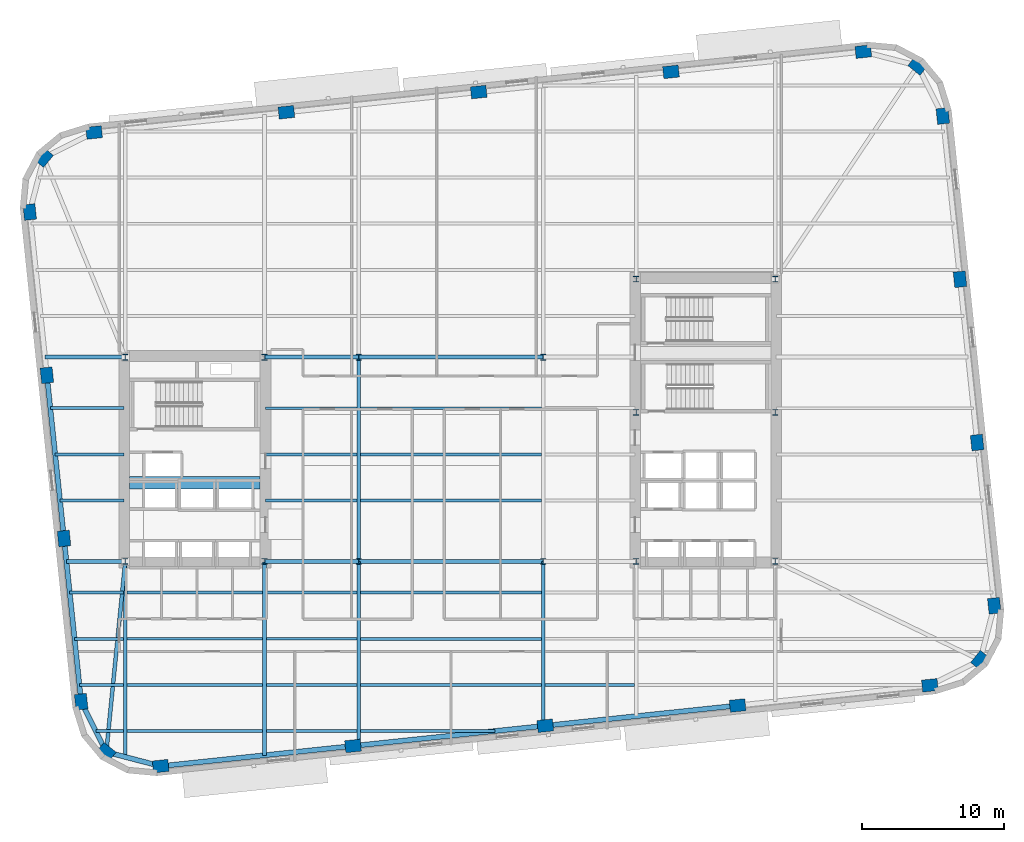
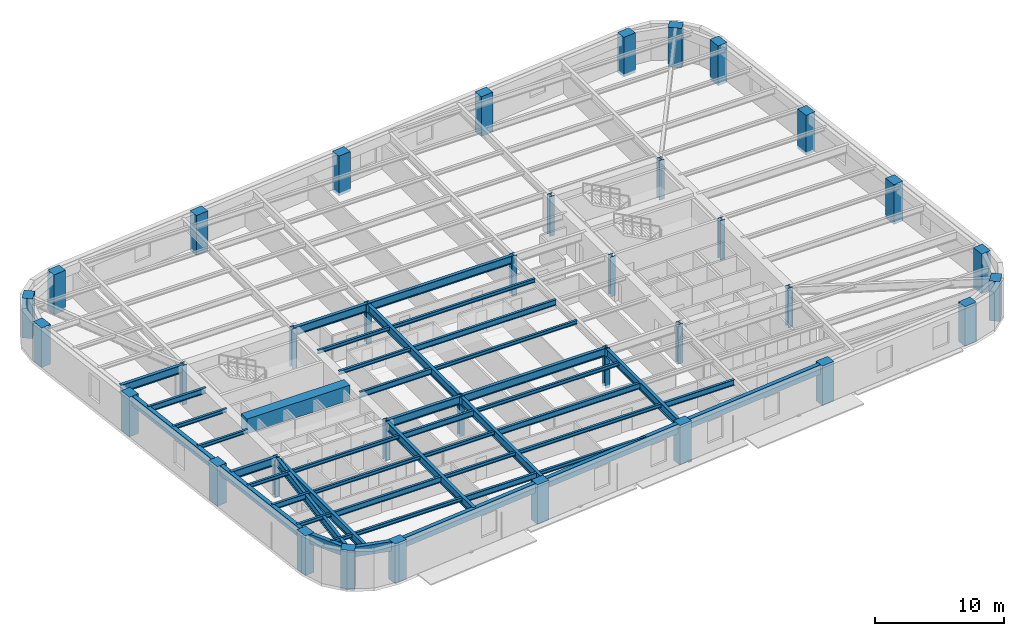
# One storey, part 1 of 13: 46 beams, 36 columns.
"""IFC4 building model written with IfcOpenShell, lengths in metres."""

import ifcopenshell
import ifcopenshell.guid

model = None  # the IFC model being written
_history = None  # IfcOwnerHistory: only IFC2X3 demands one
_inside = {}  # id of a spatial element -> (the spatial element, [elements in it])
_under = {}  # id of a project, library or spatial element -> (it, [spatial elements below it])
_declared = {}  # id of a project -> (the project, [libraries it declares])
_typed = {}  # id of a type object -> (the type object, [elements of that type])
_made_of = {}  # id of a material, layer set ... -> (it, [elements and type objects made of it])


def new_model(schema):
    """Start an empty IFC model of exactly this schema.

    Asked for "IFC4X3", IfcOpenShell would pick the latest addendum, in which some entities
    have other attributes; the version numbers below select the first issue.
    IFC2X3 requires an IfcOwnerHistory on every rooted entity: one is made here for all.
    """
    global model, _history
    if schema == "IFC4X3":
        model = ifcopenshell.file(schema_version=(4, 3, 0, 0))
    else:
        model = ifcopenshell.file(schema=schema)
    _inside.clear()
    _under.clear()
    _declared.clear()
    _typed.clear()
    _made_of.clear()
    _history = None
    if model.schema == "IFC2X3":
        org = make("IfcOrganization", Name="unknown")
        user = make(
            "IfcPersonAndOrganization",
            ThePerson=make("IfcPerson", FamilyName="unknown"),
            TheOrganization=org,
        )
        app = make(
            "IfcApplication",
            ApplicationDeveloper=org,
            Version="unknown",
            ApplicationFullName="unknown",
            ApplicationIdentifier="unknown",
        )
        _history = make(
            "IfcOwnerHistory",
            OwningUser=user,
            OwningApplication=app,
            ChangeAction="ADDED",
            CreationDate=0,
        )
    return model


def make(cls, **values):
    """One entity of the class cls with the attributes given. An attribute that is None is left unset."""
    return model.create_entity(
        cls, **{name: value for name, value in values.items() if value is not None}
    )


def rooted(cls, **values):
    """An entity with a GlobalId (a new one), such as an element, a storey or a relation."""
    return make(cls, GlobalId=ifcopenshell.guid.new(), OwnerHistory=_history, **values)


def si_unit(unit_type, name, prefix=None):
    """IfcSIUnit, for example si_unit("LENGTHUNIT", "METRE", prefix="MILLI")."""
    return make("IfcSIUnit", UnitType=unit_type, Prefix=prefix, Name=name)


def assignment(units):
    """IfcUnitAssignment: the units of a project."""
    return None if units is None else make("IfcUnitAssignment", Units=units)


def point(xyz):
    """IfcCartesianPoint."""
    return None if xyz is None else make("IfcCartesianPoint", Coordinates=xyz)


def direction(xyz):
    """IfcDirection."""
    return None if xyz is None else make("IfcDirection", DirectionRatios=xyz)


def frame(location, z_axis=None, x_axis=None):
    """IfcAxis2Placement3D, a coordinate frame: its origin and axes. An axis left out is left unset."""
    return make(
        "IfcAxis2Placement3D",
        Location=point(location),
        Axis=direction(z_axis),
        RefDirection=direction(x_axis),
    )


def frame_2d(location, x_axis=None):
    """IfcAxis2Placement2D, a coordinate frame in the plane: its origin and x axis."""
    return make(
        "IfcAxis2Placement2D", Location=point(location), RefDirection=direction(x_axis)
    )


def origin():
    """The frame at (0, 0, 0) with its axes left unset."""
    return frame((0.0, 0.0, 0.0))


def origin_2d():
    """The frame at (0, 0) in the plane with its x axis left unset."""
    return frame_2d((0.0, 0.0))


def place(relative_to, where):
    """IfcLocalPlacement: puts the frame where relative to a parent placement (None: the world)."""
    return make(
        "IfcLocalPlacement", PlacementRelTo=relative_to, RelativePlacement=where
    )


def context(
    kind, dimensions, precision=None, world=None, true_north=None, identifier=None
):
    """IfcGeometricRepresentationContext, for example the 3D "Model" context."""
    return make(
        "IfcGeometricRepresentationContext",
        ContextIdentifier=identifier,
        ContextType=kind,
        CoordinateSpaceDimension=dimensions,
        Precision=precision,
        WorldCoordinateSystem=world,
        TrueNorth=true_north,
    )


def subcontext(parent, identifier, kind, view, scale=None):
    """IfcGeometricRepresentationSubContext, for example "Body" below "Model"."""
    return make(
        "IfcGeometricRepresentationSubContext",
        ContextIdentifier=identifier,
        ContextType=kind,
        ParentContext=parent,
        TargetScale=scale,
        TargetView=view,
    )


def project(units=None, contexts=None):
    """IfcProject with its units and contexts."""
    return rooted(
        "IfcProject",
        Name="project",
        RepresentationContexts=contexts,
        UnitsInContext=assignment(units),
    )


def spatial(cls, under=None, at=None, **own):
    """A site, building, storey or space (cls), placed at a placement, below another one or the project."""
    s = rooted(cls, ObjectPlacement=at, **own)
    if under is not None:
        _under.setdefault(under.id(), (under, []))[1].append(s)
    return s


def profile(cls, at=None, kind="AREA", **sizes):
    """A parametric profile (cls). Its sizes go by their IFC names, for example OverallWidth=200.0."""
    return make(cls, ProfileType=kind, Position=at, **sizes)


def rectangle(**sizes):
    """IfcRectangleProfileDef."""
    return profile("IfcRectangleProfileDef", **sizes)


def hollow_rectangle(**sizes):
    """IfcRectangleHollowProfileDef."""
    return profile("IfcRectangleHollowProfileDef", **sizes)


def i_section(**sizes):
    """IfcIShapeProfileDef."""
    return profile("IfcIShapeProfileDef", **sizes)


def extrude(swept, where, along, depth):
    """IfcExtrudedAreaSolid: the profile swept, set in the frame where, extruded along a direction by depth."""
    return make(
        "IfcExtrudedAreaSolid",
        SweptArea=swept,
        Position=where,
        ExtrudedDirection=direction(along),
        Depth=depth,
    )


def shape(context_of_items, identifier, shape_type, items):
    """IfcShapeRepresentation: the items that make up one representation, for example the "Body"."""
    return make(
        "IfcShapeRepresentation",
        ContextOfItems=context_of_items,
        RepresentationIdentifier=identifier,
        RepresentationType=shape_type,
        Items=items,
    )


def material(Name=None, Category=None):
    """IfcMaterial."""
    return make("IfcMaterial", Name=Name, Category=Category)


def material_profile(
    of_material, cross_section, Name=None, Category=None, Priority=None
):
    """IfcMaterialProfile: a cross section and its material."""
    return make(
        "IfcMaterialProfile",
        Name=Name,
        Material=of_material,
        Profile=cross_section,
        Priority=Priority,
        Category=Category,
    )


def profile_set(profiles, Name=None, composite=None):
    """IfcMaterialProfileSet."""
    return make(
        "IfcMaterialProfileSet",
        Name=Name,
        MaterialProfiles=profiles,
        CompositeProfile=composite,
    )


def made_of(thing, what):
    """Note that an element or type object is made of a material, layer set ...; save() writes the relation."""
    if what is not None:
        _made_of.setdefault(what.id(), (what, []))[1].append(thing)
    return thing


def type_object(cls, material=None, **own):
    """A type object (cls), such as IfcWallType, which elements share."""
    return made_of(rooted(cls, **own), material)


def element(
    cls,
    number,
    at=None,
    inside=None,
    cuts=None,
    type_object=None,
    material=None,
    context=None,
    identifier="Body",
    shape_type=None,
    held_by="IfcProductDefinitionShape",
    body=None,
    shapes=None,
    **own,
):
    """One element of the class cls, such as IfcWall. Its Tag is "e" and its number.

    at: its placement. inside: the storey or other place that contains it. cuts: it is an
    opening in that element (IfcRelVoidsElement). A single representation is given by context,
    identifier, shape_type and body (its items); several are given by shapes. held_by: the class
    of the entity that holds the representations. save() writes the other relations.
    """
    e = rooted(cls, Tag="e%d" % number, ObjectPlacement=at, **own)
    if body is not None:
        shapes = [shape(context, identifier, shape_type, body)]
    if shapes is not None:
        e.Representation = make(held_by, Representations=shapes)
    if inside is not None:
        _inside.setdefault(inside.id(), (inside, []))[1].append(e)
    if cuts is not None:
        rooted(
            "IfcRelVoidsElement", RelatingBuildingElement=cuts, RelatedOpeningElement=e
        )
    if type_object is not None:
        _typed.setdefault(type_object.id(), (type_object, []))[1].append(e)
    return made_of(e, material)


def aggregate(whole, parts):
    """IfcRelAggregates: a whole, such as a stair, and the parts it consists of."""
    return rooted("IfcRelAggregates", RelatingObject=whole, RelatedObjects=parts)


def save(model, path):
    """Write the relations noted so far, then the file.

    IfcRelAggregates (storeys below a building ...), IfcRelContainedInSpatialStructure (elements
    in a storey), IfcRelDefinesByType, IfcRelAssociatesMaterial and IfcRelDeclares: one each for
    every whole, place, type object, material and project.
    """
    for whole, parts in _under.values():
        aggregate(whole, parts)
    for where, things in _inside.values():
        rooted(
            "IfcRelContainedInSpatialStructure",
            RelatedElements=things,
            RelatingStructure=where,
        )
    for kind, things in _typed.values():
        rooted("IfcRelDefinesByType", RelatedObjects=things, RelatingType=kind)
    for what, things in _made_of.values():
        rooted("IfcRelAssociatesMaterial", RelatedObjects=things, RelatingMaterial=what)
    for by, libraries in _declared.values():
        rooted("IfcRelDeclares", RelatingContext=by, RelatedDefinitions=libraries)
    model.write(path)


model = new_model("IFC4")

# Units and contexts
model_context = context("Model", 3, precision=1e-05, world=origin(), true_north=direction((0.0, 1.0)))
body_context = subcontext(model_context, "Body", "Model", "MODEL_VIEW")
ifc_project = project(units=[si_unit("LENGTHUNIT", "METRE"), si_unit("AREAUNIT", "SQUARE_METRE"), si_unit("VOLUMEUNIT", "CUBIC_METRE"), si_unit("PLANEANGLEUNIT", "RADIAN"), si_unit("MASSUNIT", "GRAM", prefix="KILO")], contexts=[model_context])

# Site, building, storey
site_placement = place(None, origin())
site = spatial("IfcSite", under=ifc_project, at=site_placement, CompositionType="ELEMENT")
building_placement = place(site_placement, origin())
building = spatial("IfcBuilding", under=site, at=building_placement, Name="Kolvaren Arena Tower", CompositionType="ELEMENT")
storey_placement = place(building_placement, frame((0.0, 0.0, 114.699951171875)))
storey = spatial("IfcBuildingStorey", under=building, at=storey_placement, Name="L26", CompositionType="ELEMENT", Elevation=114.699951171875)

# Columns
ifc_material_1 = material(Name="Precast concrete C70/85", Category="concrete")
ifc_material_profile_1 = material_profile(ifc_material_1, rectangle(XDim=1.10009765625, YDim=0.85009765625, at=origin_2d()), Name="RC-1100x850")
ifc_profile_set_1 = profile_set([ifc_material_profile_1], Name="Precast concrete C70/85")
column_type_1 = type_object("IfcColumnType", Name="EXCOL-Z2", PredefinedType="COLUMN", material=ifc_profile_set_1)
for number, where, z_axis, x_axis, name in (
    (1, (17.0458984375, 5.024658203125, -0.27001953125), (0.0, 0.0, 1.0), (0.994521895368, 0.104528463268, 0.0), "Exoskeleton Perimeter Column 01 (L26)"),
    (2, (30.59619140625, 6.44873046875, -0.27001953125), (0.0, 0.0, 1.0), (0.994521895368, 0.104528463268, 0.0), "Exoskeleton Perimeter Column 02 (L26)"),
    (3, (44.146728515625, 7.873046875, -0.27001953125), (0.0, 0.0, 1.0), (0.994521895368, 0.104528463268, 0.0), "Exoskeleton Perimeter Column 03 (L26)"),
    (4, (57.697021484375, 9.297119140625, -0.27001953125), (0.0, 0.0, 1.0), (0.994521895368, 0.104528463268, 0.0), "Exoskeleton Perimeter Column 04 (L26)"),
    (5, (71.247314453125, 10.721435546875, -0.27001953125), (0.0, 0.0, 1.0), (0.994521895368, 0.104528463268, 0.0), "Exoskeleton Perimeter Column 05 (L26)"),
    (6, (74.790283203125, 12.49267578125, -0.27001953125), (0.0, 0.0, 1.0), (0.62932039105, 0.777145961457, 0.0), "Exoskeleton Perimeter Column 06 (L26)"),
    (7, (75.786376953125, 16.326416015625, -0.27001953125), (0.0, 0.0, 1.0), (-0.104528463268, 0.994521895368, 0.0), "Exoskeleton Perimeter Column 07 (L26)"),
    (8, (74.577392578125, 27.829833984375, -0.27001953125), (0.0, 0.0, 1.0), (-0.104528463268, 0.994521895368, 0.0), "Exoskeleton Perimeter Column 08 (L26)"),
    (9, (73.368408203125, 39.3330078125, -0.27001953125), (0.0, 0.0, 1.0), (-0.104528463268, 0.994521895368, 0.0), "Exoskeleton Perimeter Column 09 (L26)"),
    (10, (72.1591796875, 50.83642578125, -0.27001953125), (0.0, 0.0, 1.0), (-0.104528463268, 0.994521895368, 0.0), "Exoskeleton Perimeter Column 10 (L26)"),
    (11, (70.387939453125, 54.37939453125, -0.27001953125), (0.0, 0.0, 1.0), (-0.777145961457, 0.62932039105, 0.0), "Exoskeleton Perimeter Column 11 (L26)"),
    (12, (66.55419921875, 55.37548828125, -0.27001953125), (0.0, 0.0, 1.0), (0.994521895368, 0.104528463268, 0.0), "Exoskeleton Perimeter Column 12 (L26)"),
    (13, (53.003662109375, 53.951171875, -0.27001953125), (0.0, 0.0, 1.0), (0.994521895368, 0.104528463268, 0.0), "Exoskeleton Perimeter Column 13 (L26)"),
    (14, (39.453369140625, 52.527099609375, -0.27001953125), (0.0, 0.0, 1.0), (0.994521895368, 0.104528463268, 0.0), "Exoskeleton Perimeter Column 14 (L26)"),
    (15, (25.903076171875, 51.102783203125, -0.27001953125), (0.0, 0.0, 1.0), (0.994521895368, 0.104528463268, 0.0), "Exoskeleton Perimeter Column 15 (L26)"),
    (16, (12.3525390625, 49.6787109375, -0.27001953125), (0.0, 0.0, 1.0), (0.994521895368, 0.104528463268, 0.0), "Exoskeleton Perimeter Column 16 (L26)"),
    (17, (8.8095703125, 47.9072265625, -0.27001953125), (0.0, 0.0, 1.0), (0.62932039105, 0.777145961457, 0.0), "Exoskeleton Perimeter Column 17 (L26)"),
    (18, (7.813720703125, 44.073486328125, -0.27001953125), (0.0, 0.0, 1.0), (-0.104528463268, 0.994521895368, 0.0), "Exoskeleton Perimeter Column 18 (L26)"),
    (19, (9.022705078125, 32.5703125, -0.27001953125), (0.0, 0.0, 1.0), (-0.104528463268, 0.994521895368, 0.0), "Exoskeleton Perimeter Column 19 (L26)"),
    (20, (10.231689453125, 21.06689453125, -0.27001953125), (0.0, 0.0, 1.0), (-0.104528463268, 0.994521895368, 0.0), "Exoskeleton Perimeter Column 20 (L26)"),
    (21, (11.44091796875, 9.5634765625, -0.27001953125), (0.0, 0.0, 1.0), (-0.104528463268, 0.994521895368, 0.0), "Exoskeleton Perimeter Column 21 (L26)"),
    (22, (13.212158203125, 6.0205078125, -0.27001953125), (0.0, 0.0, 1.0), (-0.777145961457, 0.62932039105, 0.0), "Exoskeleton Perimeter Column 22 (L26)"),
):
    element("IfcColumn", number, at=place(storey_placement, frame(where, z_axis=z_axis, x_axis=x_axis)), inside=storey, type_object=column_type_1, Name=name, PredefinedType="COLUMN", context=body_context, shape_type="SweptSolid", body=[
        extrude(rectangle(XDim=1.10009765625, YDim=0.85009765625, at=origin_2d()), origin(), (0.0, 0.0, 1.0), 3.75),
    ])
ifc_material_2 = material(Name="Steel ASTM A913 Grade 65", Category="steel")
ifc_material_profile_2 = material_profile(ifc_material_2, i_section(OverallWidth=0.416015625, OverallDepth=0.446044921875, WebThickness=0.0390625, FlangeThickness=0.062744140625, FilletRadius=0.02001953125, at=origin_2d()), Name="W360x509")
ifc_profile_set_2 = profile_set([ifc_material_profile_2], Name="Steel ASTM A913 Grade 65")
column_type_2 = type_object("IfcColumnType", Name="SCOL-Z2", PredefinedType="COLUMN", material=ifc_profile_set_2)
for number, where, z_axis, x_axis, name in (
    (23, (14.550048828125, 19.449951171875, -0.27001953125), (0.0, 0.0, 1.0), (1.0, 0.0, 0.0), "Core Boundary Column WC-SW (L26)"),
    (24, (24.35009765625, 19.449951171875, -0.27001953125), (0.0, 0.0, 1.0), (1.0, 0.0, 0.0), "Core Boundary Column WC-SE (L26)"),
    (25, (14.550048828125, 33.85009765625, -0.27001953125), (0.0, 0.0, 1.0), (1.0, 0.0, 0.0), "Core Boundary Column WC-NW (L26)"),
    (26, (24.35009765625, 33.85009765625, -0.27001953125), (0.0, 0.0, 1.0), (1.0, 0.0, 0.0), "Core Boundary Column WC-NE (L26)"),
    (27, (50.550048828125, 19.449951171875, -0.27001953125), (0.0, 0.0, 1.0), (1.0, 0.0, 0.0), "Core Boundary Column EC-SW (L26)"),
    (28, (60.35009765625, 19.449951171875, -0.27001953125), (0.0, 0.0, 1.0), (1.0, 0.0, 0.0), "Core Boundary Column EC-SE (L26)"),
    (29, (50.550048828125, 29.949951171875, -0.27001953125), (0.0, 0.0, 1.0), (1.0, 0.0, 0.0), "Core Boundary Column EC-MW (L26)"),
    (30, (60.35009765625, 29.949951171875, -0.27001953125), (0.0, 0.0, 1.0), (1.0, 0.0, 0.0), "Core Boundary Column EC-ME (L26)"),
    (31, (50.550048828125, 39.35009765625, -0.27001953125), (0.0, 0.0, 1.0), (1.0, 0.0, 0.0), "Core Boundary Column EC-NW (L26)"),
    (32, (60.35009765625, 39.35009765625, -0.27001953125), (0.0, 0.0, 1.0), (1.0, 0.0, 0.0), "Core Boundary Column EC-NE (L26)"),
    (33, (31.0, 19.449951171875, -0.27001953125), (0.0, 0.0, 1.0), (1.0, 0.0, 0.0), "Interior Gravity Column TC-SW (L26)"),
    (34, (44.0, 19.449951171875, -0.27001953125), (0.0, 0.0, 1.0), (1.0, 0.0, 0.0), "Interior Gravity Column TC-SE (L26)"),
    (35, (31.0, 33.85009765625, -0.27001953125), (0.0, 0.0, 1.0), (1.0, 0.0, 0.0), "Interior Gravity Column TC-NW (L26)"),
    (36, (44.0, 33.85009765625, -0.27001953125), (0.0, 0.0, 1.0), (1.0, 0.0, 0.0), "Interior Gravity Column TC-NE (L26)"),
):
    element("IfcColumn", number, at=place(storey_placement, frame(where, z_axis=z_axis, x_axis=x_axis)), inside=storey, type_object=column_type_2, Name=name, PredefinedType="COLUMN", context=body_context, shape_type="SweptSolid", body=[
        extrude(i_section(OverallWidth=0.416015625, OverallDepth=0.446044921875, WebThickness=0.0390625, FlangeThickness=0.062744140625, FilletRadius=0.02001953125, at=origin_2d()), origin(), (0.0, 0.0, 1.0), 3.75),
    ])

# Beams
ifc_material_3 = material(Name="Steel CSA G40.21 350W", Category="steel")
ifc_material_profile_3 = material_profile(ifc_material_3, i_section(OverallWidth=0.2119140625, OverallDepth=0.54296875, WebThickness=0.01318359375, FlangeThickness=0.0244140625, FilletRadius=0.013916015625, at=origin_2d()), Name="W530x150")
ifc_profile_set_3 = profile_set([ifc_material_profile_3], Name="Steel CSA G40.21 350W")
beam_type_1 = type_object("IfcBeamType", Name="BEAM-F1", PredefinedType="BEAM", material=ifc_profile_set_3)
beam_1_placement = place(storey_placement, frame((24.485107421875, 7.5, 3.20849609375), z_axis=(1.0, 0.0, 0.0), x_axis=(0.0, 1.0, 0.0)))
element("IfcBeam", 37, at=beam_1_placement, inside=storey, type_object=beam_type_1, Name="Composite Floor Beam (L26)", PredefinedType="BEAM", context=body_context, shape_type="SweptSolid", body=[
    extrude(i_section(OverallWidth=0.2119140625, OverallDepth=0.54296875, WebThickness=0.01318359375, FlangeThickness=0.0244140625, FilletRadius=0.013916015625, at=origin_2d()), origin(), (0.0, 0.0, 1.0), 6.3798828125),
])
beam_2_placement = place(storey_placement, frame((14.68505859375, 10.75, 3.20849609375), z_axis=(1.0, 0.0, 0.0), x_axis=(0.0, 1.0, 0.0)))
element("IfcBeam", 38, at=beam_2_placement, inside=storey, type_object=beam_type_1, Name="Composite Floor Beam (L26)", PredefinedType="BEAM", context=body_context, shape_type="SweptSolid", body=[
    extrude(i_section(OverallWidth=0.2119140625, OverallDepth=0.54296875, WebThickness=0.01318359375, FlangeThickness=0.0244140625, FilletRadius=0.013916015625, at=origin_2d()), origin(), (0.0, 0.0, 1.0), 9.530029296875),
])
beam_3_placement = place(storey_placement, frame((44.135009765625, 10.75, 3.20849609375), z_axis=(1.0, 0.0, 0.0), x_axis=(0.0, 1.0, 0.0)))
element("IfcBeam", 39, at=beam_3_placement, inside=storey, type_object=beam_type_1, Name="Composite Floor Beam (L26)", PredefinedType="BEAM", context=body_context, shape_type="SweptSolid", body=[
    extrude(i_section(OverallWidth=0.2119140625, OverallDepth=0.54296875, WebThickness=0.01318359375, FlangeThickness=0.0244140625, FilletRadius=0.013916015625, at=origin_2d()), origin(), (0.0, 0.0, 1.0), 6.280029296875),
])
beam_4_placement = place(storey_placement, frame((10.974609375, 14.0, 3.20849609375), z_axis=(1.0, 0.0, 0.0), x_axis=(0.0, 1.0, 0.0)))
element("IfcBeam", 40, at=beam_4_placement, inside=storey, type_object=beam_type_1, Name="Composite Floor Beam (L26)", PredefinedType="BEAM", context=body_context, shape_type="SweptSolid", body=[
    extrude(i_section(OverallWidth=0.2119140625, OverallDepth=0.54296875, WebThickness=0.01318359375, FlangeThickness=0.0244140625, FilletRadius=0.013916015625, at=origin_2d()), origin(), (0.0, 0.0, 1.0), 3.4404296875),
])
beam_5_placement = place(storey_placement, frame((31.135009765625, 14.0, 3.20849609375), z_axis=(1.0, 0.0, 0.0), x_axis=(0.0, 1.0, 0.0)))
element("IfcBeam", 41, at=beam_5_placement, inside=storey, type_object=beam_type_1, Name="Composite Floor Beam (L26)", PredefinedType="BEAM", context=body_context, shape_type="SweptSolid", body=[
    extrude(i_section(OverallWidth=0.2119140625, OverallDepth=0.54296875, WebThickness=0.01318359375, FlangeThickness=0.0244140625, FilletRadius=0.013916015625, at=origin_2d()), origin(), (0.0, 0.0, 1.0), 12.72998046875),
])
beam_6_placement = place(storey_placement, frame((24.485107421875, 17.25, 3.20849609375), z_axis=(1.0, 0.0, 0.0), x_axis=(0.0, 1.0, 0.0)))
element("IfcBeam", 42, at=beam_6_placement, inside=storey, type_object=beam_type_1, Name="Composite Floor Beam (L26)", PredefinedType="BEAM", context=body_context, shape_type="SweptSolid", body=[
    extrude(i_section(OverallWidth=0.2119140625, OverallDepth=0.54296875, WebThickness=0.01318359375, FlangeThickness=0.0244140625, FilletRadius=0.013916015625, at=origin_2d()), origin(), (0.0, 0.0, 1.0), 6.3798828125),
])
beam_7_placement = place(storey_placement, frame((24.445068359375, 23.75, 3.20849609375), z_axis=(1.0, 0.0, 0.0), x_axis=(0.0, 1.0, 0.0)))
element("IfcBeam", 43, at=beam_7_placement, inside=storey, type_object=beam_type_1, Name="Composite Floor Beam (L26)", PredefinedType="BEAM", context=body_context, shape_type="SweptSolid", body=[
    extrude(i_section(OverallWidth=0.2119140625, OverallDepth=0.54296875, WebThickness=0.01318359375, FlangeThickness=0.0244140625, FilletRadius=0.013916015625, at=origin_2d()), origin(), (0.0, 0.0, 1.0), 6.419921875),
])
beam_8_placement = place(storey_placement, frame((31.135009765625, 27.0, 3.20849609375), z_axis=(1.0, 0.0, 0.0), x_axis=(0.0, 1.0, 0.0)))
element("IfcBeam", 44, at=beam_8_placement, inside=storey, type_object=beam_type_1, Name="Composite Floor Beam (L26)", PredefinedType="BEAM", context=body_context, shape_type="SweptSolid", body=[
    extrude(i_section(OverallWidth=0.2119140625, OverallDepth=0.54296875, WebThickness=0.01318359375, FlangeThickness=0.0244140625, FilletRadius=0.013916015625, at=origin_2d()), origin(), (0.0, 0.0, 1.0), 12.72998046875),
])
beam_9_placement = place(storey_placement, frame((9.2666015625, 30.25, 3.20849609375), z_axis=(1.0, 0.0, 0.0), x_axis=(0.0, 1.0, 0.0)))
element("IfcBeam", 45, at=beam_9_placement, inside=storey, type_object=beam_type_1, Name="Composite Floor Beam (L26)", PredefinedType="BEAM", context=body_context, shape_type="SweptSolid", body=[
    extrude(i_section(OverallWidth=0.2119140625, OverallDepth=0.54296875, WebThickness=0.01318359375, FlangeThickness=0.0244140625, FilletRadius=0.013916015625, at=origin_2d()), origin(), (0.0, 0.0, 1.0), 5.1884765625),
])
ifc_material_4 = material(Name="Concrete 75 MPa", Category="concrete")
ifc_material_profile_4 = material_profile(ifc_material_4, rectangle(XDim=0.89990234375, YDim=1.39990234375, at=origin_2d()), Name="RC-900x1400")
ifc_profile_set_4 = profile_set([ifc_material_profile_4], Name="Concrete 75 MPa")
beam_type_2 = type_object("IfcBeamType", Name="CB-CORE-1", PredefinedType="BEAM", material=ifc_profile_set_4)
beam_10_placement = place(storey_placement, frame((14.85009765625, 25.0, 3.050048828125), z_axis=(1.0, 0.0, 0.0), x_axis=(0.0, 1.0, 0.0)))
element("IfcBeam", 46, at=beam_10_placement, inside=storey, type_object=beam_type_2, Name="West Core Coupling Beam (L26)", PredefinedType="BEAM", context=body_context, shape_type="SweptSolid", body=[
    extrude(rectangle(XDim=0.89990234375, YDim=1.39990234375, at=origin_2d()), origin(), (0.0, 0.0, 1.0), 9.199951171875),
])
ifc_material_profile_5 = material_profile(ifc_material_3, i_section(OverallWidth=0.27001953125, OverallDepth=0.77294921875, WebThickness=0.019287109375, FlangeThickness=0.033447265625, FilletRadius=0.01806640625, at=origin_2d()), Name="W760x257")
ifc_profile_set_5 = profile_set([ifc_material_profile_5], Name="Steel CSA G40.21 350W")
beam_type_3 = type_object("IfcBeamType", Name="GIRD-T1", PredefinedType="BEAM", material=ifc_profile_set_5)
beam_11_placement = place(storey_placement, frame((13.212158203125, 6.0205078125, 3.093505859375), z_axis=(0.099132957575, 0.995074196592, 0.0), x_axis=(-0.995074196592, 0.099132957575, 0.0)))
element("IfcBeam", 47, at=beam_11_placement, inside=storey, type_object=beam_type_3, Name="Corner Diagonal Tie Girder (L26)", PredefinedType="BEAM", context=body_context, shape_type="SweptSolid", body=[
    extrude(i_section(OverallWidth=0.27001953125, OverallDepth=0.77294921875, WebThickness=0.019287109375, FlangeThickness=0.033447265625, FilletRadius=0.01806640625, at=origin_2d()), origin(), (0.0, 0.0, 1.0), 13.495849609375),
])
beam_12_placement = place(storey_placement, frame((10.401611328125, 19.449951171875, 3.093505859375), z_axis=(1.0, 0.0, 0.0), x_axis=(0.0, 1.0, 0.0)))
element("IfcBeam", 48, at=beam_12_placement, inside=storey, type_object=beam_type_3, Name="Primary Floor Girder (L26)", PredefinedType="BEAM", context=body_context, shape_type="SweptSolid", body=[
    extrude(i_section(OverallWidth=0.27001953125, OverallDepth=0.77294921875, WebThickness=0.019287109375, FlangeThickness=0.033447265625, FilletRadius=0.01806640625, at=origin_2d()), origin(), (0.0, 0.0, 1.0), 4.093505859375),
])
beam_13_placement = place(storey_placement, frame((24.405029296875, 19.449951171875, 3.093505859375), z_axis=(1.0, 0.0, 0.0), x_axis=(0.0, 1.0, 0.0)))
element("IfcBeam", 49, at=beam_13_placement, inside=storey, type_object=beam_type_3, Name="Primary Floor Girder (L26)", PredefinedType="BEAM", context=body_context, shape_type="SweptSolid", body=[
    extrude(i_section(OverallWidth=0.27001953125, OverallDepth=0.77294921875, WebThickness=0.019287109375, FlangeThickness=0.033447265625, FilletRadius=0.01806640625, at=origin_2d()), origin(), (0.0, 0.0, 1.0), 6.594970703125),
])
beam_14_placement = place(storey_placement, frame((31.0, 19.449951171875, 3.093505859375), z_axis=(1.0, 0.0, 0.0), x_axis=(0.0, 1.0, 0.0)))
element("IfcBeam", 50, at=beam_14_placement, inside=storey, type_object=beam_type_3, Name="Primary Floor Girder (L26)", PredefinedType="BEAM", context=body_context, shape_type="SweptSolid", body=[
    extrude(i_section(OverallWidth=0.27001953125, OverallDepth=0.77294921875, WebThickness=0.019287109375, FlangeThickness=0.033447265625, FilletRadius=0.01806640625, at=origin_2d()), origin(), (0.0, 0.0, 1.0), 13.0),
])
beam_15_placement = place(storey_placement, frame((8.88818359375, 33.85009765625, 3.093505859375), z_axis=(1.0, 0.0, 0.0), x_axis=(0.0, 1.0, 0.0)))
element("IfcBeam", 51, at=beam_15_placement, inside=storey, type_object=beam_type_3, Name="Primary Floor Girder (L26)", PredefinedType="BEAM", context=body_context, shape_type="SweptSolid", body=[
    extrude(i_section(OverallWidth=0.27001953125, OverallDepth=0.77294921875, WebThickness=0.019287109375, FlangeThickness=0.033447265625, FilletRadius=0.01806640625, at=origin_2d()), origin(), (0.0, 0.0, 1.0), 5.60693359375),
])
beam_16_placement = place(storey_placement, frame((24.405029296875, 33.85009765625, 3.093505859375), z_axis=(1.0, 0.0, 0.0), x_axis=(0.0, 1.0, 0.0)))
element("IfcBeam", 52, at=beam_16_placement, inside=storey, type_object=beam_type_3, Name="Primary Floor Girder (L26)", PredefinedType="BEAM", context=body_context, shape_type="SweptSolid", body=[
    extrude(i_section(OverallWidth=0.27001953125, OverallDepth=0.77294921875, WebThickness=0.019287109375, FlangeThickness=0.033447265625, FilletRadius=0.01806640625, at=origin_2d()), origin(), (0.0, 0.0, 1.0), 6.594970703125),
])
beam_17_placement = place(storey_placement, frame((31.0, 33.85009765625, 3.093505859375), z_axis=(1.0, 0.0, 0.0), x_axis=(0.0, 1.0, 0.0)))
element("IfcBeam", 53, at=beam_17_placement, inside=storey, type_object=beam_type_3, Name="Primary Floor Girder (L26)", PredefinedType="BEAM", context=body_context, shape_type="SweptSolid", body=[
    extrude(i_section(OverallWidth=0.27001953125, OverallDepth=0.77294921875, WebThickness=0.019287109375, FlangeThickness=0.033447265625, FilletRadius=0.01806640625, at=origin_2d()), origin(), (0.0, 0.0, 1.0), 13.0),
])
beam_18_placement = place(storey_placement, frame((14.550048828125, 5.673095703125, 3.093505859375), z_axis=(0.0, 1.0, 0.0), x_axis=(-1.0, 0.0, 0.0)))
element("IfcBeam", 54, at=beam_18_placement, inside=storey, type_object=beam_type_3, Name="Primary Floor Girder (L26)", PredefinedType="BEAM", context=body_context, shape_type="SweptSolid", body=[
    extrude(i_section(OverallWidth=0.27001953125, OverallDepth=0.77294921875, WebThickness=0.019287109375, FlangeThickness=0.033447265625, FilletRadius=0.01806640625, at=origin_2d()), origin(), (0.0, 0.0, 1.0), 13.721923828125),
])
beam_19_placement = place(storey_placement, frame((24.35009765625, 5.792236328125, 3.093505859375), z_axis=(0.0, 1.0, 0.0), x_axis=(-1.0, 0.0, 0.0)))
element("IfcBeam", 55, at=beam_19_placement, inside=storey, type_object=beam_type_3, Name="Primary Floor Girder (L26)", PredefinedType="BEAM", context=body_context, shape_type="SweptSolid", body=[
    extrude(i_section(OverallWidth=0.27001953125, OverallDepth=0.77294921875, WebThickness=0.019287109375, FlangeThickness=0.033447265625, FilletRadius=0.01806640625, at=origin_2d()), origin(), (0.0, 0.0, 1.0), 13.602783203125),
])
beam_20_placement = place(storey_placement, frame((31.0, 6.4912109375, 3.093505859375), z_axis=(0.0, 1.0, 0.0), x_axis=(-1.0, 0.0, 0.0)))
element("IfcBeam", 56, at=beam_20_placement, inside=storey, type_object=beam_type_3, Name="Primary Floor Girder (L26)", PredefinedType="BEAM", context=body_context, shape_type="SweptSolid", body=[
    extrude(i_section(OverallWidth=0.27001953125, OverallDepth=0.77294921875, WebThickness=0.019287109375, FlangeThickness=0.033447265625, FilletRadius=0.01806640625, at=origin_2d()), origin(), (0.0, 0.0, 1.0), 12.958740234375),
])
beam_21_placement = place(storey_placement, frame((31.0, 19.449951171875, 3.093505859375), z_axis=(0.0, 1.0, 0.0), x_axis=(-1.0, 0.0, 0.0)))
element("IfcBeam", 57, at=beam_21_placement, inside=storey, type_object=beam_type_3, Name="Primary Floor Girder (L26)", PredefinedType="BEAM", context=body_context, shape_type="SweptSolid", body=[
    extrude(i_section(OverallWidth=0.27001953125, OverallDepth=0.77294921875, WebThickness=0.019287109375, FlangeThickness=0.033447265625, FilletRadius=0.01806640625, at=origin_2d()), origin(), (0.0, 0.0, 1.0), 14.400146484375),
])
beam_22_placement = place(storey_placement, frame((44.0, 7.857666015625, 3.093505859375), z_axis=(0.0, 1.0, 0.0), x_axis=(-1.0, 0.0, 0.0)))
element("IfcBeam", 58, at=beam_22_placement, inside=storey, type_object=beam_type_3, Name="Primary Floor Girder (L26)", PredefinedType="BEAM", context=body_context, shape_type="SweptSolid", body=[
    extrude(i_section(OverallWidth=0.27001953125, OverallDepth=0.77294921875, WebThickness=0.019287109375, FlangeThickness=0.033447265625, FilletRadius=0.01806640625, at=origin_2d()), origin(), (0.0, 0.0, 1.0), 11.59228515625),
])
ifc_material_profile_6 = material_profile(ifc_material_3, i_section(OverallWidth=0.202880859375, OverallDepth=0.346923828125, WebThickness=0.0078125, FlangeThickness=0.013427734375, FilletRadius=0.010986328125, at=origin_2d()), Name="W360x64")
ifc_profile_set_6 = profile_set([ifc_material_profile_6], Name="Steel CSA G40.21 350W")
beam_type_4 = type_object("IfcBeamType", Name="JOIST-01", PredefinedType="JOIST", material=ifc_profile_set_6)
beam_23_placement = place(storey_placement, frame((12.472412109375, 7.5, 3.306640625), z_axis=(1.0, 0.0, 0.0), x_axis=(0.0, 1.0, 0.0)))
element("IfcBeam", 59, at=beam_23_placement, inside=storey, type_object=beam_type_4, Name="Composite Floor Joist (L26)", PredefinedType="JOIST", context=body_context, shape_type="SweptSolid", body=[
    extrude(i_section(OverallWidth=0.202880859375, OverallDepth=0.346923828125, WebThickness=0.0078125, FlangeThickness=0.013427734375, FilletRadius=0.010986328125, at=origin_2d()), origin(), (0.0, 0.0, 1.0), 1.942626953125),
])
beam_24_placement = place(storey_placement, frame((14.68505859375, 7.5, 3.306640625), z_axis=(1.0, 0.0, 0.0), x_axis=(0.0, 1.0, 0.0)))
element("IfcBeam", 60, at=beam_24_placement, inside=storey, type_object=beam_type_4, Name="Composite Floor Joist (L26)", PredefinedType="JOIST", context=body_context, shape_type="SweptSolid", body=[
    extrude(i_section(OverallWidth=0.202880859375, OverallDepth=0.346923828125, WebThickness=0.0078125, FlangeThickness=0.013427734375, FilletRadius=0.010986328125, at=origin_2d()), origin(), (0.0, 0.0, 1.0), 9.530029296875),
])
beam_25_placement = place(storey_placement, frame((31.135009765625, 7.5, 3.306640625), z_axis=(1.0, 0.0, 0.0), x_axis=(0.0, 1.0, 0.0)))
element("IfcBeam", 61, at=beam_25_placement, inside=storey, type_object=beam_type_4, Name="Composite Floor Joist (L26)", PredefinedType="JOIST", context=body_context, shape_type="SweptSolid", body=[
    extrude(i_section(OverallWidth=0.202880859375, OverallDepth=0.346923828125, WebThickness=0.0078125, FlangeThickness=0.013427734375, FilletRadius=0.010986328125, at=origin_2d()), origin(), (0.0, 0.0, 1.0), 9.462890625),
])
beam_26_placement = place(storey_placement, frame((11.316162109375, 10.75, 3.306640625), z_axis=(1.0, 0.0, 0.0), x_axis=(0.0, 1.0, 0.0)))
element("IfcBeam", 62, at=beam_26_placement, inside=storey, type_object=beam_type_4, Name="Composite Floor Joist (L26)", PredefinedType="JOIST", context=body_context, shape_type="SweptSolid", body=[
    extrude(i_section(OverallWidth=0.202880859375, OverallDepth=0.346923828125, WebThickness=0.0078125, FlangeThickness=0.013427734375, FilletRadius=0.010986328125, at=origin_2d()), origin(), (0.0, 0.0, 1.0), 3.098876953125),
])
beam_27_placement = place(storey_placement, frame((24.485107421875, 10.75, 3.306640625), z_axis=(1.0, 0.0, 0.0), x_axis=(0.0, 1.0, 0.0)))
element("IfcBeam", 63, at=beam_27_placement, inside=storey, type_object=beam_type_4, Name="Composite Floor Joist (L26)", PredefinedType="JOIST", context=body_context, shape_type="SweptSolid", body=[
    extrude(i_section(OverallWidth=0.202880859375, OverallDepth=0.346923828125, WebThickness=0.0078125, FlangeThickness=0.013427734375, FilletRadius=0.010986328125, at=origin_2d()), origin(), (0.0, 0.0, 1.0), 6.3798828125),
])
beam_28_placement = place(storey_placement, frame((31.135009765625, 10.75, 3.306640625), z_axis=(1.0, 0.0, 0.0), x_axis=(0.0, 1.0, 0.0)))
element("IfcBeam", 64, at=beam_28_placement, inside=storey, type_object=beam_type_4, Name="Composite Floor Joist (L26)", PredefinedType="JOIST", context=body_context, shape_type="SweptSolid", body=[
    extrude(i_section(OverallWidth=0.202880859375, OverallDepth=0.346923828125, WebThickness=0.0078125, FlangeThickness=0.013427734375, FilletRadius=0.010986328125, at=origin_2d()), origin(), (0.0, 0.0, 1.0), 12.72998046875),
])
beam_29_placement = place(storey_placement, frame((14.68505859375, 14.0, 3.306640625), z_axis=(1.0, 0.0, 0.0), x_axis=(0.0, 1.0, 0.0)))
element("IfcBeam", 65, at=beam_29_placement, inside=storey, type_object=beam_type_4, Name="Composite Floor Joist (L26)", PredefinedType="JOIST", context=body_context, shape_type="SweptSolid", body=[
    extrude(i_section(OverallWidth=0.202880859375, OverallDepth=0.346923828125, WebThickness=0.0078125, FlangeThickness=0.013427734375, FilletRadius=0.010986328125, at=origin_2d()), origin(), (0.0, 0.0, 1.0), 9.530029296875),
])
beam_30_placement = place(storey_placement, frame((24.485107421875, 14.0, 3.306640625), z_axis=(1.0, 0.0, 0.0), x_axis=(0.0, 1.0, 0.0)))
element("IfcBeam", 66, at=beam_30_placement, inside=storey, type_object=beam_type_4, Name="Composite Floor Joist (L26)", PredefinedType="JOIST", context=body_context, shape_type="SweptSolid", body=[
    extrude(i_section(OverallWidth=0.202880859375, OverallDepth=0.346923828125, WebThickness=0.0078125, FlangeThickness=0.013427734375, FilletRadius=0.010986328125, at=origin_2d()), origin(), (0.0, 0.0, 1.0), 6.3798828125),
])
beam_31_placement = place(storey_placement, frame((10.6328125, 17.25, 3.306640625), z_axis=(1.0, 0.0, 0.0), x_axis=(0.0, 1.0, 0.0)))
element("IfcBeam", 67, at=beam_31_placement, inside=storey, type_object=beam_type_4, Name="Composite Floor Joist (L26)", PredefinedType="JOIST", context=body_context, shape_type="SweptSolid", body=[
    extrude(i_section(OverallWidth=0.202880859375, OverallDepth=0.346923828125, WebThickness=0.0078125, FlangeThickness=0.013427734375, FilletRadius=0.010986328125, at=origin_2d()), origin(), (0.0, 0.0, 1.0), 3.7822265625),
])
beam_32_placement = place(storey_placement, frame((14.68505859375, 17.25, 3.306640625), z_axis=(1.0, 0.0, 0.0), x_axis=(0.0, 1.0, 0.0)))
element("IfcBeam", 68, at=beam_32_placement, inside=storey, type_object=beam_type_4, Name="Composite Floor Joist (L26)", PredefinedType="JOIST", context=body_context, shape_type="SweptSolid", body=[
    extrude(i_section(OverallWidth=0.202880859375, OverallDepth=0.346923828125, WebThickness=0.0078125, FlangeThickness=0.013427734375, FilletRadius=0.010986328125, at=origin_2d()), origin(), (0.0, 0.0, 1.0), 9.530029296875),
])
beam_33_placement = place(storey_placement, frame((31.135009765625, 17.25, 3.306640625), z_axis=(1.0, 0.0, 0.0), x_axis=(0.0, 1.0, 0.0)))
element("IfcBeam", 69, at=beam_33_placement, inside=storey, type_object=beam_type_4, Name="Composite Floor Joist (L26)", PredefinedType="JOIST", context=body_context, shape_type="SweptSolid", body=[
    extrude(i_section(OverallWidth=0.202880859375, OverallDepth=0.346923828125, WebThickness=0.0078125, FlangeThickness=0.013427734375, FilletRadius=0.010986328125, at=origin_2d()), origin(), (0.0, 0.0, 1.0), 12.72998046875),
])
beam_34_placement = place(storey_placement, frame((9.94970703125, 23.75, 3.306640625), z_axis=(1.0, 0.0, 0.0), x_axis=(0.0, 1.0, 0.0)))
element("IfcBeam", 70, at=beam_34_placement, inside=storey, type_object=beam_type_4, Name="Composite Floor Joist (L26)", PredefinedType="JOIST", context=body_context, shape_type="SweptSolid", body=[
    extrude(i_section(OverallWidth=0.202880859375, OverallDepth=0.346923828125, WebThickness=0.0078125, FlangeThickness=0.013427734375, FilletRadius=0.010986328125, at=origin_2d()), origin(), (0.0, 0.0, 1.0), 4.50537109375),
])
beam_35_placement = place(storey_placement, frame((31.135009765625, 23.75, 3.306640625), z_axis=(1.0, 0.0, 0.0), x_axis=(0.0, 1.0, 0.0)))
element("IfcBeam", 71, at=beam_35_placement, inside=storey, type_object=beam_type_4, Name="Composite Floor Joist (L26)", PredefinedType="JOIST", context=body_context, shape_type="SweptSolid", body=[
    extrude(i_section(OverallWidth=0.202880859375, OverallDepth=0.346923828125, WebThickness=0.0078125, FlangeThickness=0.013427734375, FilletRadius=0.010986328125, at=origin_2d()), origin(), (0.0, 0.0, 1.0), 12.72998046875),
])
beam_36_placement = place(storey_placement, frame((9.608154296875, 27.0, 3.306640625), z_axis=(1.0, 0.0, 0.0), x_axis=(0.0, 1.0, 0.0)))
element("IfcBeam", 72, at=beam_36_placement, inside=storey, type_object=beam_type_4, Name="Composite Floor Joist (L26)", PredefinedType="JOIST", context=body_context, shape_type="SweptSolid", body=[
    extrude(i_section(OverallWidth=0.202880859375, OverallDepth=0.346923828125, WebThickness=0.0078125, FlangeThickness=0.013427734375, FilletRadius=0.010986328125, at=origin_2d()), origin(), (0.0, 0.0, 1.0), 4.846923828125),
])
for number, where, z_axis, x_axis, name in (
    (73, (24.445068359375, 27.0, 3.306640625), (1.0, 0.0, 0.0), (0.0, 1.0, 0.0), "Composite Floor Joist (L26)"),
    (74, (24.445068359375, 30.25, 3.306640625), (1.0, 0.0, 0.0), (0.0, 1.0, 0.0), "Composite Floor Joist (L26)"),
):
    element("IfcBeam", number, at=place(storey_placement, frame(where, z_axis=z_axis, x_axis=x_axis)), inside=storey, type_object=beam_type_4, Name=name, PredefinedType="JOIST", context=body_context, shape_type="SweptSolid", body=[
        extrude(i_section(OverallWidth=0.202880859375, OverallDepth=0.346923828125, WebThickness=0.0078125, FlangeThickness=0.013427734375, FilletRadius=0.010986328125, at=origin_2d()), origin(), (0.0, 0.0, 1.0), 6.419921875),
    ])
beam_37_placement = place(storey_placement, frame((31.135009765625, 30.25, 3.306640625), z_axis=(1.0, 0.0, 0.0), x_axis=(0.0, 1.0, 0.0)))
element("IfcBeam", 75, at=beam_37_placement, inside=storey, type_object=beam_type_4, Name="Composite Floor Joist (L26)", PredefinedType="JOIST", context=body_context, shape_type="SweptSolid", body=[
    extrude(i_section(OverallWidth=0.202880859375, OverallDepth=0.346923828125, WebThickness=0.0078125, FlangeThickness=0.013427734375, FilletRadius=0.010986328125, at=origin_2d()), origin(), (0.0, 0.0, 1.0), 12.72998046875),
])
ifc_material_5 = material(Name="Steel CSA G40.21 350WT", Category="steel")
ifc_material_profile_7 = material_profile(ifc_material_5, hollow_rectangle(XDim=0.35009765625, YDim=0.89990234375, WallThickness=0.02001953125, at=origin_2d()), Name="HSS 900x350x20")
ifc_profile_set_7 = profile_set([ifc_material_profile_7], Name="Steel CSA G40.21 350WT")
beam_type_5 = type_object("IfcBeamType", Name="SPAND-01", PredefinedType="SPANDREL", material=ifc_profile_set_7)
beam_38_placement = place(storey_placement, frame((17.0458984375, 5.024658203125, 3.030029296875), z_axis=(0.994522817887, 0.104519685718, 0.0), x_axis=(-0.104519685718, 0.994522817887, 0.0)))
element("IfcBeam", 76, at=beam_38_placement, inside=storey, type_object=beam_type_5, Name="Perimeter Spandrel Beam (L26)", PredefinedType="SPANDREL", context=body_context, shape_type="SweptSolid", body=[
    extrude(hollow_rectangle(XDim=0.35009765625, YDim=0.89990234375, WallThickness=0.02001953125, at=origin_2d()), origin(), (0.0, 0.0, 1.0), 13.625),
])
beam_39_placement = place(storey_placement, frame((30.59619140625, 6.44873046875, 3.030029296875), z_axis=(0.994521150946, 0.104535545729, 0.0), x_axis=(-0.104535545729, 0.994521150946, 0.0)))
element("IfcBeam", 77, at=beam_39_placement, inside=storey, type_object=beam_type_5, Name="Perimeter Spandrel Beam (L26)", PredefinedType="SPANDREL", context=body_context, shape_type="SweptSolid", body=[
    extrude(hollow_rectangle(XDim=0.35009765625, YDim=0.89990234375, WallThickness=0.02001953125, at=origin_2d()), origin(), (0.0, 0.0, 1.0), 13.625244140625),
])
beam_40_placement = place(storey_placement, frame((44.146728515625, 7.873046875, 3.030029296875), z_axis=(0.994522817887, 0.104519685718, 0.0), x_axis=(-0.104519685718, 0.994522817887, 0.0)))
element("IfcBeam", 78, at=beam_40_placement, inside=storey, type_object=beam_type_5, Name="Perimeter Spandrel Beam (L26)", PredefinedType="SPANDREL", context=body_context, shape_type="SweptSolid", body=[
    extrude(hollow_rectangle(XDim=0.35009765625, YDim=0.89990234375, WallThickness=0.02001953125, at=origin_2d()), origin(), (0.0, 0.0, 1.0), 13.625),
])
for number, where, z_axis, x_axis, name in (
    (79, (9.022705078125, 32.5703125, 3.030029296875), (0.104522171998, -0.994522556587, 0.0), (0.994522556587, 0.104522171998, 0.0), "Perimeter Spandrel Beam (L26)"),
    (80, (10.231689453125, 21.06689453125, 3.030029296875), (0.104543048399, -0.994520362301, 0.0), (0.994520362301, 0.104543048399, 0.0), "Perimeter Spandrel Beam (L26)"),
):
    element("IfcBeam", number, at=place(storey_placement, frame(where, z_axis=z_axis, x_axis=x_axis)), inside=storey, type_object=beam_type_5, Name=name, PredefinedType="SPANDREL", context=body_context, shape_type="SweptSolid", body=[
        extrude(hollow_rectangle(XDim=0.35009765625, YDim=0.89990234375, WallThickness=0.02001953125, at=origin_2d()), origin(), (0.0, 0.0, 1.0), 11.56689453125),
    ])
for number, where, z_axis, x_axis, name in (
    (81, (11.44091796875, 9.5634765625, 3.030029296875), (0.44716428656, -0.894451843771, 0.0), (0.894451843771, 0.44716428656, 0.0), "Perimeter Spandrel Beam (L26)"),
    (82, (13.212158203125, 6.0205078125, 3.030029296875), (0.96787922294, -0.25141561169, 0.0), (0.25141561169, 0.96787922294, 0.0), "Perimeter Spandrel Beam (L26)"),
):
    element("IfcBeam", number, at=place(storey_placement, frame(where, z_axis=z_axis, x_axis=x_axis)), inside=storey, type_object=beam_type_5, Name=name, PredefinedType="SPANDREL", context=body_context, shape_type="SweptSolid", body=[
        extrude(hollow_rectangle(XDim=0.35009765625, YDim=0.89990234375, WallThickness=0.02001953125, at=origin_2d()), origin(), (0.0, 0.0, 1.0), 3.9609375),
    ])

save(model, "model.ifc")
